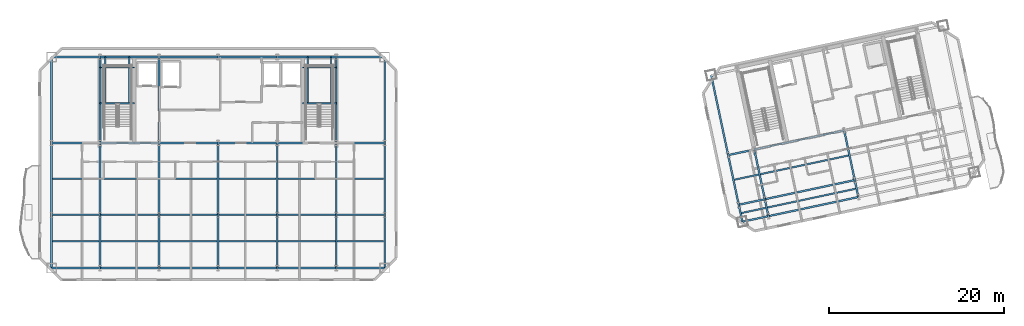
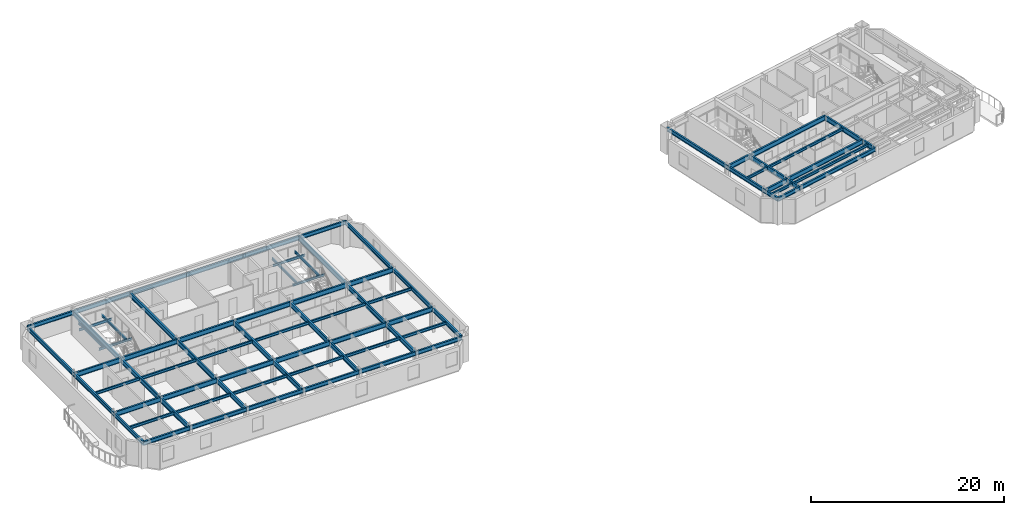
# One storey, part 3 of 14: 80 beams.
"""IFC4 building model written with IfcOpenShell, lengths in metres."""

from ifc_helpers import new_model, si_unit, direction, frame, origin, origin_2d, place, context, subcontext, project, spatial, i_section, extrude, material, material_profile, profile_set, type_object, element, save


model = new_model("IFC4")

# Units and contexts
model_context = context("Model", 3, precision=1e-05, world=origin(), true_north=direction((0.0, 1.0)))
body_context = subcontext(model_context, "Body", "Model", "MODEL_VIEW")
ifc_project = project(units=[si_unit("LENGTHUNIT", "METRE"), si_unit("AREAUNIT", "SQUARE_METRE"), si_unit("VOLUMEUNIT", "CUBIC_METRE"), si_unit("PLANEANGLEUNIT", "RADIAN"), si_unit("MASSUNIT", "GRAM", prefix="KILO")], contexts=[model_context])

# Site, building, storey
site_placement = place(None, origin())
site = spatial("IfcSite", under=ifc_project, at=site_placement, CompositionType="ELEMENT")
building_placement = place(site_placement, origin())
building = spatial("IfcBuilding", under=site, at=building_placement, Name="Haevon Station Towers", CompositionType="ELEMENT")
storey_placement = place(building_placement, frame((0.0, 0.0, 205.5)))
storey = spatial("IfcBuildingStorey", under=building, at=storey_placement, Name="L56", CompositionType="ELEMENT", Elevation=205.5)

# Beams
ifc_material = material(Name="Steel S355", Category="steel")
ifc_material_profile_1 = material_profile(ifc_material, i_section(OverallWidth=0.199951171875, OverallDepth=0.60009765625, WebThickness=0.010986328125, FlangeThickness=0.01708984375, at=origin_2d()), Name="H-600x200x11x17")
ifc_profile_set_1 = profile_set([ifc_material_profile_1], Name="Steel S355")
beam_type_1 = type_object("IfcBeamType", Name="BM-G600", PredefinedType="BEAM", material=ifc_profile_set_1)
beam_1_placement = place(storey_placement, frame((18.47509765625, 30.0, 2.75), z_axis=(1.0, 0.0, 0.0), x_axis=(0.0, 1.0, 0.0)))
element("IfcBeam", 1, at=beam_1_placement, inside=storey, type_object=beam_type_1, Name="BM-T1U-L56-02-01", PredefinedType="BEAM", context=body_context, shape_type="SweptSolid", body=[
    extrude(i_section(OverallWidth=0.199951171875, OverallDepth=0.60009765625, WebThickness=0.010986328125, FlangeThickness=0.01708984375, at=origin_2d()), origin(), (0.0, 0.0, 1.0), 5.52490234375),
])
for number, where, z_axis, x_axis, name in (
    (2, (24.0, 30.0, 2.75), (1.0, 0.0, 0.0), (0.0, 1.0, 0.0), "BM-T1U-L56-02-02"),
    (3, (30.75, 30.0, 2.75), (1.0, 0.0, 0.0), (0.0, 1.0, 0.0), "BM-T1U-L56-02-03"),
    (4, (37.5, 30.0, 2.75), (1.0, 0.0, 0.0), (0.0, 1.0, 0.0), "BM-T1U-L56-02-04"),
    (5, (44.25, 30.0, 2.75), (1.0, 0.0, 0.0), (0.0, 1.0, 0.0), "BM-T1U-L56-02-05"),
):
    element("IfcBeam", number, at=place(storey_placement, frame(where, z_axis=z_axis, x_axis=x_axis)), inside=storey, type_object=beam_type_1, Name=name, PredefinedType="BEAM", context=body_context, shape_type="SweptSolid", body=[
        extrude(i_section(OverallWidth=0.199951171875, OverallDepth=0.60009765625, WebThickness=0.010986328125, FlangeThickness=0.01708984375, at=origin_2d()), origin(), (0.0, 0.0, 1.0), 6.75),
    ])
for number, where, z_axis, x_axis, name in (
    (6, (51.0, 30.0, 2.75), (1.0, 0.0, 0.0), (0.0, 1.0, 0.0), "BM-T1U-L56-02-06"),
    (7, (18.47509765625, 38.199951171875, 2.75), (1.0, 0.0, 0.0), (0.0, 1.0, 0.0), "BM-T1U-L56-03-01"),
):
    element("IfcBeam", number, at=place(storey_placement, frame(where, z_axis=z_axis, x_axis=x_axis)), inside=storey, type_object=beam_type_1, Name=name, PredefinedType="BEAM", context=body_context, shape_type="SweptSolid", body=[
        extrude(i_section(OverallWidth=0.199951171875, OverallDepth=0.60009765625, WebThickness=0.010986328125, FlangeThickness=0.01708984375, at=origin_2d()), origin(), (0.0, 0.0, 1.0), 5.52490234375),
    ])
for number, where, z_axis, x_axis, name in (
    (8, (24.0, 38.199951171875, 2.75), (1.0, 0.0, 0.0), (0.0, 1.0, 0.0), "BM-T1U-L56-03-02"),
    (9, (30.75, 38.199951171875, 2.75), (1.0, 0.0, 0.0), (0.0, 1.0, 0.0), "BM-T1U-L56-03-03"),
    (10, (37.5, 38.199951171875, 2.75), (1.0, 0.0, 0.0), (0.0, 1.0, 0.0), "BM-T1U-L56-03-04"),
    (11, (44.25, 38.199951171875, 2.75), (1.0, 0.0, 0.0), (0.0, 1.0, 0.0), "BM-T1U-L56-03-05"),
):
    element("IfcBeam", number, at=place(storey_placement, frame(where, z_axis=z_axis, x_axis=x_axis)), inside=storey, type_object=beam_type_1, Name=name, PredefinedType="BEAM", context=body_context, shape_type="SweptSolid", body=[
        extrude(i_section(OverallWidth=0.199951171875, OverallDepth=0.60009765625, WebThickness=0.010986328125, FlangeThickness=0.01708984375, at=origin_2d()), origin(), (0.0, 0.0, 1.0), 6.75),
    ])
beam_2_placement = place(storey_placement, frame((51.0, 38.199951171875, 2.75), z_axis=(1.0, 0.0, 0.0), x_axis=(0.0, 1.0, 0.0)))
element("IfcBeam", 12, at=beam_2_placement, inside=storey, type_object=beam_type_1, Name="BM-T1U-L56-03-06", PredefinedType="BEAM", context=body_context, shape_type="SweptSolid", body=[
    extrude(i_section(OverallWidth=0.199951171875, OverallDepth=0.60009765625, WebThickness=0.010986328125, FlangeThickness=0.01708984375, at=origin_2d()), origin(), (0.0, 0.0, 1.0), 5.52490234375),
])
beam_3_placement = place(storey_placement, frame((24.0, 23.89990234375, 2.75), z_axis=(0.0, 1.0, 0.0), x_axis=(-1.0, 0.0, 0.0)))
element("IfcBeam", 13, at=beam_3_placement, inside=storey, type_object=beam_type_1, Name="BM-T1V-L56-02-01", PredefinedType="BEAM", context=body_context, shape_type="SweptSolid", body=[
    extrude(i_section(OverallWidth=0.199951171875, OverallDepth=0.60009765625, WebThickness=0.010986328125, FlangeThickness=0.01708984375, at=origin_2d()), origin(), (0.0, 0.0, 1.0), 6.10009765625),
])
beam_4_placement = place(storey_placement, frame((24.0, 30.0, 2.75), z_axis=(0.0, 1.0, 0.0), x_axis=(-1.0, 0.0, 0.0)))
element("IfcBeam", 14, at=beam_4_placement, inside=storey, type_object=beam_type_1, Name="BM-T1V-L56-02-02", PredefinedType="BEAM", context=body_context, shape_type="SweptSolid", body=[
    extrude(i_section(OverallWidth=0.199951171875, OverallDepth=0.60009765625, WebThickness=0.010986328125, FlangeThickness=0.01708984375, at=origin_2d()), origin(), (0.0, 0.0, 1.0), 8.199951171875),
])
beam_5_placement = place(storey_placement, frame((24.0, 38.199951171875, 2.75), z_axis=(0.0, 1.0, 0.0), x_axis=(-1.0, 0.0, 0.0)))
element("IfcBeam", 15, at=beam_5_placement, inside=storey, type_object=beam_type_1, Name="BM-T1V-L56-02-03", PredefinedType="BEAM", context=body_context, shape_type="SweptSolid", body=[
    extrude(i_section(OverallWidth=0.199951171875, OverallDepth=0.60009765625, WebThickness=0.010986328125, FlangeThickness=0.01708984375, at=origin_2d()), origin(), (0.0, 0.0, 1.0), 9.800048828125),
])
beam_6_placement = place(storey_placement, frame((30.75, 23.89990234375, 2.75), z_axis=(0.0, 1.0, 0.0), x_axis=(-1.0, 0.0, 0.0)))
element("IfcBeam", 16, at=beam_6_placement, inside=storey, type_object=beam_type_1, Name="BM-T1V-L56-03-01", PredefinedType="BEAM", context=body_context, shape_type="SweptSolid", body=[
    extrude(i_section(OverallWidth=0.199951171875, OverallDepth=0.60009765625, WebThickness=0.010986328125, FlangeThickness=0.01708984375, at=origin_2d()), origin(), (0.0, 0.0, 1.0), 6.10009765625),
])
beam_7_placement = place(storey_placement, frame((30.75, 30.0, 2.75), z_axis=(0.0, 1.0, 0.0), x_axis=(-1.0, 0.0, 0.0)))
element("IfcBeam", 17, at=beam_7_placement, inside=storey, type_object=beam_type_1, Name="BM-T1V-L56-03-02", PredefinedType="BEAM", context=body_context, shape_type="SweptSolid", body=[
    extrude(i_section(OverallWidth=0.199951171875, OverallDepth=0.60009765625, WebThickness=0.010986328125, FlangeThickness=0.01708984375, at=origin_2d()), origin(), (0.0, 0.0, 1.0), 8.199951171875),
])
beam_8_placement = place(storey_placement, frame((30.75, 38.199951171875, 2.75), z_axis=(0.0, 1.0, 0.0), x_axis=(-1.0, 0.0, 0.0)))
element("IfcBeam", 18, at=beam_8_placement, inside=storey, type_object=beam_type_1, Name="BM-T1V-L56-03-03", PredefinedType="BEAM", context=body_context, shape_type="SweptSolid", body=[
    extrude(i_section(OverallWidth=0.199951171875, OverallDepth=0.60009765625, WebThickness=0.010986328125, FlangeThickness=0.01708984375, at=origin_2d()), origin(), (0.0, 0.0, 1.0), 9.800048828125),
])
beam_9_placement = place(storey_placement, frame((37.5, 23.89990234375, 2.75), z_axis=(0.0, 1.0, 0.0), x_axis=(-1.0, 0.0, 0.0)))
element("IfcBeam", 19, at=beam_9_placement, inside=storey, type_object=beam_type_1, Name="BM-T1V-L56-04-01", PredefinedType="BEAM", context=body_context, shape_type="SweptSolid", body=[
    extrude(i_section(OverallWidth=0.199951171875, OverallDepth=0.60009765625, WebThickness=0.010986328125, FlangeThickness=0.01708984375, at=origin_2d()), origin(), (0.0, 0.0, 1.0), 6.10009765625),
])
beam_10_placement = place(storey_placement, frame((37.5, 30.0, 2.75), z_axis=(0.0, 1.0, 0.0), x_axis=(-1.0, 0.0, 0.0)))
element("IfcBeam", 20, at=beam_10_placement, inside=storey, type_object=beam_type_1, Name="BM-T1V-L56-04-02", PredefinedType="BEAM", context=body_context, shape_type="SweptSolid", body=[
    extrude(i_section(OverallWidth=0.199951171875, OverallDepth=0.60009765625, WebThickness=0.010986328125, FlangeThickness=0.01708984375, at=origin_2d()), origin(), (0.0, 0.0, 1.0), 8.199951171875),
])
beam_11_placement = place(storey_placement, frame((44.25, 23.89990234375, 2.75), z_axis=(0.0, 1.0, 0.0), x_axis=(-1.0, 0.0, 0.0)))
element("IfcBeam", 21, at=beam_11_placement, inside=storey, type_object=beam_type_1, Name="BM-T1V-L56-05-01", PredefinedType="BEAM", context=body_context, shape_type="SweptSolid", body=[
    extrude(i_section(OverallWidth=0.199951171875, OverallDepth=0.60009765625, WebThickness=0.010986328125, FlangeThickness=0.01708984375, at=origin_2d()), origin(), (0.0, 0.0, 1.0), 6.10009765625),
])
beam_12_placement = place(storey_placement, frame((44.25, 30.0, 2.75), z_axis=(0.0, 1.0, 0.0), x_axis=(-1.0, 0.0, 0.0)))
element("IfcBeam", 22, at=beam_12_placement, inside=storey, type_object=beam_type_1, Name="BM-T1V-L56-05-02", PredefinedType="BEAM", context=body_context, shape_type="SweptSolid", body=[
    extrude(i_section(OverallWidth=0.199951171875, OverallDepth=0.60009765625, WebThickness=0.010986328125, FlangeThickness=0.01708984375, at=origin_2d()), origin(), (0.0, 0.0, 1.0), 8.199951171875),
])
beam_13_placement = place(storey_placement, frame((51.0, 23.89990234375, 2.75), z_axis=(0.0, 1.0, 0.0), x_axis=(-1.0, 0.0, 0.0)))
element("IfcBeam", 23, at=beam_13_placement, inside=storey, type_object=beam_type_1, Name="BM-T1V-L56-06-01", PredefinedType="BEAM", context=body_context, shape_type="SweptSolid", body=[
    extrude(i_section(OverallWidth=0.199951171875, OverallDepth=0.60009765625, WebThickness=0.010986328125, FlangeThickness=0.01708984375, at=origin_2d()), origin(), (0.0, 0.0, 1.0), 6.10009765625),
])
beam_14_placement = place(storey_placement, frame((51.0, 30.0, 2.75), z_axis=(0.0, 1.0, 0.0), x_axis=(-1.0, 0.0, 0.0)))
element("IfcBeam", 24, at=beam_14_placement, inside=storey, type_object=beam_type_1, Name="BM-T1V-L56-06-02", PredefinedType="BEAM", context=body_context, shape_type="SweptSolid", body=[
    extrude(i_section(OverallWidth=0.199951171875, OverallDepth=0.60009765625, WebThickness=0.010986328125, FlangeThickness=0.01708984375, at=origin_2d()), origin(), (0.0, 0.0, 1.0), 8.199951171875),
])
beam_15_placement = place(storey_placement, frame((51.0, 38.199951171875, 2.75), z_axis=(0.0, 1.0, 0.0), x_axis=(-1.0, 0.0, 0.0)))
element("IfcBeam", 25, at=beam_15_placement, inside=storey, type_object=beam_type_1, Name="BM-T1V-L56-06-03", PredefinedType="BEAM", context=body_context, shape_type="SweptSolid", body=[
    extrude(i_section(OverallWidth=0.199951171875, OverallDepth=0.60009765625, WebThickness=0.010986328125, FlangeThickness=0.01708984375, at=origin_2d()), origin(), (0.0, 0.0, 1.0), 9.800048828125),
])
beam_16_placement = place(storey_placement, frame((96.974853515625, 31.135009765625, 2.75), z_axis=(0.978154782045, 0.207877902534, 0.0), x_axis=(-0.207877902534, 0.978154782045, 0.0)))
element("IfcBeam", 26, at=beam_16_placement, inside=storey, type_object=beam_type_1, Name="BM-T2U-L56-02-01", PredefinedType="BEAM", context=body_context, shape_type="SweptSolid", body=[
    extrude(i_section(OverallWidth=0.199951171875, OverallDepth=0.60009765625, WebThickness=0.010986328125, FlangeThickness=0.01708984375, at=origin_2d()), origin(), (0.0, 0.0, 1.0), 3.050048828125),
])
beam_17_placement = place(storey_placement, frame((99.958251953125, 31.76904296875, 2.75), z_axis=(0.978146794194, 0.207915485254, 0.0), x_axis=(-0.207915485254, 0.978146794194, 0.0)))
element("IfcBeam", 27, at=beam_17_placement, inside=storey, type_object=beam_type_1, Name="BM-T2U-L56-02-02", PredefinedType="BEAM", context=body_context, shape_type="SweptSolid", body=[
    extrude(i_section(OverallWidth=0.199951171875, OverallDepth=0.60009765625, WebThickness=0.010986328125, FlangeThickness=0.01708984375, at=origin_2d()), origin(), (0.0, 0.0, 1.0), 10.5),
])
beam_18_placement = place(storey_placement, frame((95.76904296875, 36.808349609375, 2.75), z_axis=(0.978154782045, 0.207877902534, 0.0), x_axis=(-0.207877902534, 0.978154782045, 0.0)))
element("IfcBeam", 28, at=beam_18_placement, inside=storey, type_object=beam_type_1, Name="BM-T2U-L56-03-01", PredefinedType="BEAM", context=body_context, shape_type="SweptSolid", body=[
    extrude(i_section(OverallWidth=0.199951171875, OverallDepth=0.60009765625, WebThickness=0.010986328125, FlangeThickness=0.01708984375, at=origin_2d()), origin(), (0.0, 0.0, 1.0), 3.050048828125),
])
beam_19_placement = place(storey_placement, frame((98.75244140625, 37.4423828125, 2.75), z_axis=(0.978146794194, 0.207915485254, 0.0), x_axis=(-0.207915485254, 0.978146794194, 0.0)))
element("IfcBeam", 29, at=beam_19_placement, inside=storey, type_object=beam_type_1, Name="BM-T2U-L56-03-02", PredefinedType="BEAM", context=body_context, shape_type="SweptSolid", body=[
    extrude(i_section(OverallWidth=0.199951171875, OverallDepth=0.60009765625, WebThickness=0.010986328125, FlangeThickness=0.01708984375, at=origin_2d()), origin(), (0.0, 0.0, 1.0), 10.5),
])
beam_20_placement = place(storey_placement, frame((100.369873046875, 29.83251953125, 2.75), z_axis=(-0.207911850433, 0.978147566806, 0.0), x_axis=(-0.978147566806, -0.207911850433, 0.0)))
element("IfcBeam", 30, at=beam_20_placement, inside=storey, type_object=beam_type_1, Name="BM-T2V-L56-02-01", PredefinedType="BEAM", context=body_context, shape_type="SweptSolid", body=[
    extrude(i_section(OverallWidth=0.199951171875, OverallDepth=0.60009765625, WebThickness=0.010986328125, FlangeThickness=0.01708984375, at=origin_2d()), origin(), (0.0, 0.0, 1.0), 1.979736328125),
])
beam_21_placement = place(storey_placement, frame((99.958251953125, 31.76904296875, 2.75), z_axis=(-0.207896009217, 0.97815093383, 0.0), x_axis=(-0.97815093383, -0.207896009217, 0.0)))
element("IfcBeam", 31, at=beam_21_placement, inside=storey, type_object=beam_type_1, Name="BM-T2V-L56-02-02", PredefinedType="BEAM", context=body_context, shape_type="SweptSolid", body=[
    extrude(i_section(OverallWidth=0.199951171875, OverallDepth=0.60009765625, WebThickness=0.010986328125, FlangeThickness=0.01708984375, at=origin_2d()), origin(), (0.0, 0.0, 1.0), 5.800048828125),
])
beam_22_placement = place(storey_placement, frame((110.640380859375, 32.015380859375, 2.75), z_axis=(-0.207886774674, 0.978152896492, 0.0), x_axis=(-0.978152896492, -0.207886774674, 0.0)))
element("IfcBeam", 32, at=beam_22_placement, inside=storey, type_object=beam_type_1, Name="BM-T2V-L56-03-01", PredefinedType="BEAM", context=body_context, shape_type="SweptSolid", body=[
    extrude(i_section(OverallWidth=0.199951171875, OverallDepth=0.60009765625, WebThickness=0.010986328125, FlangeThickness=0.01708984375, at=origin_2d()), origin(), (0.0, 0.0, 1.0), 1.97998046875),
])
beam_23_placement = place(storey_placement, frame((110.228759765625, 33.9521484375, 2.75), z_axis=(-0.207896009217, 0.97815093383, 0.0), x_axis=(-0.97815093383, -0.207896009217, 0.0)))
element("IfcBeam", 33, at=beam_23_placement, inside=storey, type_object=beam_type_1, Name="BM-T2V-L56-03-02", PredefinedType="BEAM", context=body_context, shape_type="SweptSolid", body=[
    extrude(i_section(OverallWidth=0.199951171875, OverallDepth=0.60009765625, WebThickness=0.010986328125, FlangeThickness=0.01708984375, at=origin_2d()), origin(), (0.0, 0.0, 1.0), 5.800048828125),
])
ifc_material_profile_2 = material_profile(ifc_material, i_section(OverallWidth=0.175048828125, OverallDepth=0.35009765625, WebThickness=0.007080078125, FlangeThickness=0.010986328125, at=origin_2d()), Name="H-350x175x7x11")
ifc_profile_set_2 = profile_set([ifc_material_profile_2], Name="Steel S355")
beam_type_2 = type_object("IfcBeamType", Name="BM-J350", PredefinedType="JOIST", material=ifc_profile_set_2)
beam_24_placement = place(storey_placement, frame((18.5849609375, 26.949951171875, 2.875), z_axis=(1.0, 0.0, 0.0), x_axis=(0.0, 1.0, 0.0)))
element("IfcBeam", 34, at=beam_24_placement, inside=storey, type_object=beam_type_2, Name="BM-T1J-L56-01-01", PredefinedType="JOIST", context=body_context, shape_type="SweptSolid", body=[
    extrude(i_section(OverallWidth=0.175048828125, OverallDepth=0.35009765625, WebThickness=0.007080078125, FlangeThickness=0.010986328125, at=origin_2d()), origin(), (0.0, 0.0, 1.0), 5.304931640625),
])
for number, where, z_axis, x_axis, name in (
    (35, (24.110107421875, 26.949951171875, 2.875), (1.0, 0.0, 0.0), (0.0, 1.0, 0.0), "BM-T1J-L56-01-02"),
    (36, (30.860107421875, 26.949951171875, 2.875), (1.0, 0.0, 0.0), (0.0, 1.0, 0.0), "BM-T1J-L56-01-03"),
    (37, (37.610107421875, 26.949951171875, 2.875), (1.0, 0.0, 0.0), (0.0, 1.0, 0.0), "BM-T1J-L56-01-04"),
    (38, (44.360107421875, 26.949951171875, 2.875), (1.0, 0.0, 0.0), (0.0, 1.0, 0.0), "BM-T1J-L56-01-05"),
):
    element("IfcBeam", number, at=place(storey_placement, frame(where, z_axis=z_axis, x_axis=x_axis)), inside=storey, type_object=beam_type_2, Name=name, PredefinedType="JOIST", context=body_context, shape_type="SweptSolid", body=[
        extrude(i_section(OverallWidth=0.175048828125, OverallDepth=0.35009765625, WebThickness=0.007080078125, FlangeThickness=0.010986328125, at=origin_2d()), origin(), (0.0, 0.0, 1.0), 6.52978515625),
    ])
for number, where, z_axis, x_axis, name in (
    (39, (51.110107421875, 26.949951171875, 2.875), (1.0, 0.0, 0.0), (0.0, 1.0, 0.0), "BM-T1J-L56-01-06"),
    (40, (18.5849609375, 34.10009765625, 2.875), (1.0, 0.0, 0.0), (0.0, 1.0, 0.0), "BM-T1J-L56-02-01"),
):
    element("IfcBeam", number, at=place(storey_placement, frame(where, z_axis=z_axis, x_axis=x_axis)), inside=storey, type_object=beam_type_2, Name=name, PredefinedType="JOIST", context=body_context, shape_type="SweptSolid", body=[
        extrude(i_section(OverallWidth=0.175048828125, OverallDepth=0.35009765625, WebThickness=0.007080078125, FlangeThickness=0.010986328125, at=origin_2d()), origin(), (0.0, 0.0, 1.0), 5.304931640625),
    ])
for number, where, z_axis, x_axis, name in (
    (41, (24.110107421875, 34.10009765625, 2.875), (1.0, 0.0, 0.0), (0.0, 1.0, 0.0), "BM-T1J-L56-02-02"),
    (42, (30.860107421875, 34.10009765625, 2.875), (1.0, 0.0, 0.0), (0.0, 1.0, 0.0), "BM-T1J-L56-02-03"),
    (43, (37.610107421875, 34.10009765625, 2.875), (1.0, 0.0, 0.0), (0.0, 1.0, 0.0), "BM-T1J-L56-02-04"),
    (44, (44.360107421875, 34.10009765625, 2.875), (1.0, 0.0, 0.0), (0.0, 1.0, 0.0), "BM-T1J-L56-02-05"),
):
    element("IfcBeam", number, at=place(storey_placement, frame(where, z_axis=z_axis, x_axis=x_axis)), inside=storey, type_object=beam_type_2, Name=name, PredefinedType="JOIST", context=body_context, shape_type="SweptSolid", body=[
        extrude(i_section(OverallWidth=0.175048828125, OverallDepth=0.35009765625, WebThickness=0.007080078125, FlangeThickness=0.010986328125, at=origin_2d()), origin(), (0.0, 0.0, 1.0), 6.52978515625),
    ])
beam_25_placement = place(storey_placement, frame((51.110107421875, 34.10009765625, 2.875), z_axis=(1.0, 0.0, 0.0), x_axis=(0.0, 1.0, 0.0)))
element("IfcBeam", 45, at=beam_25_placement, inside=storey, type_object=beam_type_2, Name="BM-T1J-L56-02-06", PredefinedType="JOIST", context=body_context, shape_type="SweptSolid", body=[
    extrude(i_section(OverallWidth=0.175048828125, OverallDepth=0.35009765625, WebThickness=0.007080078125, FlangeThickness=0.010986328125, at=origin_2d()), origin(), (0.0, 0.0, 1.0), 5.304931640625),
])
beam_26_placement = place(storey_placement, frame((97.288330078125, 30.189453125, 2.875), z_axis=(0.9781470094, 0.207914472804, 0.0), x_axis=(-0.207914472804, 0.9781470094, 0.0)))
element("IfcBeam", 46, at=beam_26_placement, inside=storey, type_object=beam_type_2, Name="BM-T2J-L56-01-01", PredefinedType="JOIST", context=body_context, shape_type="SweptSolid", body=[
    extrude(i_section(OverallWidth=0.175048828125, OverallDepth=0.35009765625, WebThickness=0.007080078125, FlangeThickness=0.010986328125, at=origin_2d()), origin(), (0.0, 0.0, 1.0), 2.829833984375),
])
beam_27_placement = place(storey_placement, frame((100.271728515625, 30.82373046875, 2.875), z_axis=(0.978149313139, 0.20790363442, 0.0), x_axis=(-0.20790363442, 0.978149313139, 0.0)))
element("IfcBeam", 47, at=beam_27_placement, inside=storey, type_object=beam_type_2, Name="BM-T2J-L56-01-02", PredefinedType="JOIST", context=body_context, shape_type="SweptSolid", body=[
    extrude(i_section(OverallWidth=0.175048828125, OverallDepth=0.35009765625, WebThickness=0.007080078125, FlangeThickness=0.010986328125, at=origin_2d()), origin(), (0.0, 0.0, 1.0), 10.27978515625),
])
beam_28_placement = place(storey_placement, frame((96.4794921875, 33.99462890625, 2.875), z_axis=(0.978150738312, 0.207896929124, 0.0), x_axis=(-0.207896929124, 0.978150738312, 0.0)))
element("IfcBeam", 48, at=beam_28_placement, inside=storey, type_object=beam_type_2, Name="BM-T2J-L56-02-01", PredefinedType="JOIST", context=body_context, shape_type="SweptSolid", body=[
    extrude(i_section(OverallWidth=0.175048828125, OverallDepth=0.35009765625, WebThickness=0.007080078125, FlangeThickness=0.010986328125, at=origin_2d()), origin(), (0.0, 0.0, 1.0), 2.830078125),
])
beam_29_placement = place(storey_placement, frame((99.462890625, 34.628662109375, 2.875), z_axis=(0.978150339653, 0.207898804801, 0.0), x_axis=(-0.207898804801, 0.978150339653, 0.0)))
element("IfcBeam", 49, at=beam_29_placement, inside=storey, type_object=beam_type_2, Name="BM-T2J-L56-02-02", PredefinedType="JOIST", context=body_context, shape_type="SweptSolid", body=[
    extrude(i_section(OverallWidth=0.175048828125, OverallDepth=0.35009765625, WebThickness=0.007080078125, FlangeThickness=0.010986328125, at=origin_2d()), origin(), (0.0, 0.0, 1.0), 10.280029296875),
])
ifc_material_profile_3 = material_profile(ifc_material, i_section(OverallWidth=0.14990234375, OverallDepth=0.300048828125, WebThickness=0.006591796875, FlangeThickness=0.009033203125, at=origin_2d()), Name="H-300x150x6.5x9")
ifc_profile_set_3 = profile_set([ifc_material_profile_3], Name="Steel S355")
beam_type_3 = type_object("IfcBeamType", Name="BM-LIN300", PredefinedType="LINTEL", material=ifc_profile_set_3)
for number, where, z_axis, x_axis, name in (
    (50, (24.0, 42.743896484375, 1.300048828125), (1.0, 0.0, 0.0), (0.0, 1.0, 0.0), "BM-ST1L-L56-1-S"),
    (51, (24.0, 46.820068359375, 1.300048828125), (1.0, 0.0, 0.0), (0.0, 1.0, 0.0), "BM-ST1L-L56-1-N"),
):
    element("IfcBeam", number, at=place(storey_placement, frame(where, z_axis=z_axis, x_axis=x_axis)), inside=storey, type_object=beam_type_3, Name=name, PredefinedType="LINTEL", context=body_context, shape_type="SweptSolid", body=[
        extrude(i_section(OverallWidth=0.14990234375, OverallDepth=0.300048828125, WebThickness=0.006591796875, FlangeThickness=0.009033203125, at=origin_2d()), origin(), (0.0, 0.0, 1.0), 3.949951171875),
    ])
for number, where, z_axis, x_axis, name in (
    (52, (24.60009765625, 42.743896484375, 1.300048828125), (0.0, 1.0, 0.0), (-1.0, 0.0, 0.0), "BM-ST1L-L56-1-W"),
    (53, (27.35009765625, 42.743896484375, 1.300048828125), (0.0, 1.0, 0.0), (-1.0, 0.0, 0.0), "BM-ST1L-L56-1-E"),
):
    element("IfcBeam", number, at=place(storey_placement, frame(where, z_axis=z_axis, x_axis=x_axis)), inside=storey, type_object=beam_type_3, Name=name, PredefinedType="LINTEL", context=body_context, shape_type="SweptSolid", body=[
        extrude(i_section(OverallWidth=0.14990234375, OverallDepth=0.300048828125, WebThickness=0.006591796875, FlangeThickness=0.009033203125, at=origin_2d()), origin(), (0.0, 0.0, 1.0), 5.256103515625),
    ])
for number, where, z_axis, x_axis, name in (
    (54, (47.14990234375, 42.743896484375, 1.300048828125), (1.0, 0.0, 0.0), (0.0, 1.0, 0.0), "BM-ST2L-L56-1-S"),
    (55, (47.14990234375, 46.820068359375, 1.300048828125), (1.0, 0.0, 0.0), (0.0, 1.0, 0.0), "BM-ST2L-L56-1-N"),
):
    element("IfcBeam", number, at=place(storey_placement, frame(where, z_axis=z_axis, x_axis=x_axis)), inside=storey, type_object=beam_type_3, Name=name, PredefinedType="LINTEL", context=body_context, shape_type="SweptSolid", body=[
        extrude(i_section(OverallWidth=0.14990234375, OverallDepth=0.300048828125, WebThickness=0.006591796875, FlangeThickness=0.009033203125, at=origin_2d()), origin(), (0.0, 0.0, 1.0), 3.85009765625),
    ])
for number, where, z_axis, x_axis, name in (
    (56, (47.75, 42.743896484375, 1.300048828125), (0.0, 1.0, 0.0), (-1.0, 0.0, 0.0), "BM-ST2L-L56-1-W"),
    (57, (50.39990234375, 42.743896484375, 1.300048828125), (0.0, 1.0, 0.0), (-1.0, 0.0, 0.0), "BM-ST2L-L56-1-E"),
):
    element("IfcBeam", number, at=place(storey_placement, frame(where, z_axis=z_axis, x_axis=x_axis)), inside=storey, type_object=beam_type_3, Name=name, PredefinedType="LINTEL", context=body_context, shape_type="SweptSolid", body=[
        extrude(i_section(OverallWidth=0.14990234375, OverallDepth=0.300048828125, WebThickness=0.006591796875, FlangeThickness=0.009033203125, at=origin_2d()), origin(), (0.0, 0.0, 1.0), 5.256103515625),
    ])
ifc_material_profile_4 = material_profile(ifc_material, i_section(OverallWidth=0.199951171875, OverallDepth=0.5, WebThickness=0.010009765625, FlangeThickness=0.01611328125, at=origin_2d()), Name="H-500x200x10x16")
ifc_profile_set_4 = profile_set([ifc_material_profile_4], Name="Steel S355")
beam_type_4 = type_object("IfcBeamType", Name="BM-SP500", PredefinedType="SPANDREL", material=ifc_profile_set_4)
beam_30_placement = place(storey_placement, frame((18.47509765625, 23.89990234375, 2.800048828125), z_axis=(1.0, 0.0, 0.0), x_axis=(0.0, 1.0, 0.0)))
element("IfcBeam", 58, at=beam_30_placement, inside=storey, type_object=beam_type_4, Name="BM-T1U-L56-01-01", PredefinedType="SPANDREL", context=body_context, shape_type="SweptSolid", body=[
    extrude(i_section(OverallWidth=0.199951171875, OverallDepth=0.5, WebThickness=0.010009765625, FlangeThickness=0.01611328125, at=origin_2d()), origin(), (0.0, 0.0, 1.0), 5.52490234375),
])
for number, where, z_axis, x_axis, name in (
    (59, (24.0, 23.89990234375, 2.800048828125), (1.0, 0.0, 0.0), (0.0, 1.0, 0.0), "BM-T1U-L56-01-02"),
    (60, (30.75, 23.89990234375, 2.800048828125), (1.0, 0.0, 0.0), (0.0, 1.0, 0.0), "BM-T1U-L56-01-03"),
    (61, (37.5, 23.89990234375, 2.800048828125), (1.0, 0.0, 0.0), (0.0, 1.0, 0.0), "BM-T1U-L56-01-04"),
    (62, (44.25, 23.89990234375, 2.800048828125), (1.0, 0.0, 0.0), (0.0, 1.0, 0.0), "BM-T1U-L56-01-05"),
):
    element("IfcBeam", number, at=place(storey_placement, frame(where, z_axis=z_axis, x_axis=x_axis)), inside=storey, type_object=beam_type_4, Name=name, PredefinedType="SPANDREL", context=body_context, shape_type="SweptSolid", body=[
        extrude(i_section(OverallWidth=0.199951171875, OverallDepth=0.5, WebThickness=0.010009765625, FlangeThickness=0.01611328125, at=origin_2d()), origin(), (0.0, 0.0, 1.0), 6.75),
    ])
for number, where, z_axis, x_axis, name in (
    (63, (51.0, 23.89990234375, 2.800048828125), (1.0, 0.0, 0.0), (0.0, 1.0, 0.0), "BM-T1U-L56-01-06"),
    (64, (18.47509765625, 48.0, 2.800048828125), (1.0, 0.0, 0.0), (0.0, 1.0, 0.0), "BM-T1U-L56-04-01"),
):
    element("IfcBeam", number, at=place(storey_placement, frame(where, z_axis=z_axis, x_axis=x_axis)), inside=storey, type_object=beam_type_4, Name=name, PredefinedType="SPANDREL", context=body_context, shape_type="SweptSolid", body=[
        extrude(i_section(OverallWidth=0.199951171875, OverallDepth=0.5, WebThickness=0.010009765625, FlangeThickness=0.01611328125, at=origin_2d()), origin(), (0.0, 0.0, 1.0), 5.52490234375),
    ])
for number, where, z_axis, x_axis, name in (
    (65, (24.0, 48.0, 2.800048828125), (1.0, 0.0, 0.0), (0.0, 1.0, 0.0), "BM-T1U-L56-04-02"),
    (66, (30.75, 48.0, 2.800048828125), (1.0, 0.0, 0.0), (0.0, 1.0, 0.0), "BM-T1U-L56-04-03"),
    (67, (37.5, 48.0, 2.800048828125), (1.0, 0.0, 0.0), (0.0, 1.0, 0.0), "BM-T1U-L56-04-04"),
    (68, (44.25, 48.0, 2.800048828125), (1.0, 0.0, 0.0), (0.0, 1.0, 0.0), "BM-T1U-L56-04-05"),
):
    element("IfcBeam", number, at=place(storey_placement, frame(where, z_axis=z_axis, x_axis=x_axis)), inside=storey, type_object=beam_type_4, Name=name, PredefinedType="SPANDREL", context=body_context, shape_type="SweptSolid", body=[
        extrude(i_section(OverallWidth=0.199951171875, OverallDepth=0.5, WebThickness=0.010009765625, FlangeThickness=0.01611328125, at=origin_2d()), origin(), (0.0, 0.0, 1.0), 6.75),
    ])
beam_31_placement = place(storey_placement, frame((51.0, 48.0, 2.800048828125), z_axis=(1.0, 0.0, 0.0), x_axis=(0.0, 1.0, 0.0)))
element("IfcBeam", 69, at=beam_31_placement, inside=storey, type_object=beam_type_4, Name="BM-T1U-L56-04-06", PredefinedType="SPANDREL", context=body_context, shape_type="SweptSolid", body=[
    extrude(i_section(OverallWidth=0.199951171875, OverallDepth=0.5, WebThickness=0.010009765625, FlangeThickness=0.01611328125, at=origin_2d()), origin(), (0.0, 0.0, 1.0), 5.52490234375),
])
beam_32_placement = place(storey_placement, frame((18.47509765625, 23.89990234375, 2.800048828125), z_axis=(0.0, 1.0, 0.0), x_axis=(-1.0, 0.0, 0.0)))
element("IfcBeam", 70, at=beam_32_placement, inside=storey, type_object=beam_type_4, Name="BM-T1V-L56-01-01", PredefinedType="SPANDREL", context=body_context, shape_type="SweptSolid", body=[
    extrude(i_section(OverallWidth=0.199951171875, OverallDepth=0.5, WebThickness=0.010009765625, FlangeThickness=0.01611328125, at=origin_2d()), origin(), (0.0, 0.0, 1.0), 6.10009765625),
])
beam_33_placement = place(storey_placement, frame((18.47509765625, 30.0, 2.800048828125), z_axis=(0.0, 1.0, 0.0), x_axis=(-1.0, 0.0, 0.0)))
element("IfcBeam", 71, at=beam_33_placement, inside=storey, type_object=beam_type_4, Name="BM-T1V-L56-01-02", PredefinedType="SPANDREL", context=body_context, shape_type="SweptSolid", body=[
    extrude(i_section(OverallWidth=0.199951171875, OverallDepth=0.5, WebThickness=0.010009765625, FlangeThickness=0.01611328125, at=origin_2d()), origin(), (0.0, 0.0, 1.0), 8.199951171875),
])
beam_34_placement = place(storey_placement, frame((18.47509765625, 38.199951171875, 2.800048828125), z_axis=(0.0, 1.0, 0.0), x_axis=(-1.0, 0.0, 0.0)))
element("IfcBeam", 72, at=beam_34_placement, inside=storey, type_object=beam_type_4, Name="BM-T1V-L56-01-03", PredefinedType="SPANDREL", context=body_context, shape_type="SweptSolid", body=[
    extrude(i_section(OverallWidth=0.199951171875, OverallDepth=0.5, WebThickness=0.010009765625, FlangeThickness=0.01611328125, at=origin_2d()), origin(), (0.0, 0.0, 1.0), 9.800048828125),
])
beam_35_placement = place(storey_placement, frame((56.52490234375, 23.89990234375, 2.800048828125), z_axis=(0.0, 1.0, 0.0), x_axis=(-1.0, 0.0, 0.0)))
element("IfcBeam", 73, at=beam_35_placement, inside=storey, type_object=beam_type_4, Name="BM-T1V-L56-07-01", PredefinedType="SPANDREL", context=body_context, shape_type="SweptSolid", body=[
    extrude(i_section(OverallWidth=0.199951171875, OverallDepth=0.5, WebThickness=0.010009765625, FlangeThickness=0.01611328125, at=origin_2d()), origin(), (0.0, 0.0, 1.0), 6.10009765625),
])
beam_36_placement = place(storey_placement, frame((56.52490234375, 30.0, 2.800048828125), z_axis=(0.0, 1.0, 0.0), x_axis=(-1.0, 0.0, 0.0)))
element("IfcBeam", 74, at=beam_36_placement, inside=storey, type_object=beam_type_4, Name="BM-T1V-L56-07-02", PredefinedType="SPANDREL", context=body_context, shape_type="SweptSolid", body=[
    extrude(i_section(OverallWidth=0.199951171875, OverallDepth=0.5, WebThickness=0.010009765625, FlangeThickness=0.01611328125, at=origin_2d()), origin(), (0.0, 0.0, 1.0), 8.199951171875),
])
beam_37_placement = place(storey_placement, frame((56.52490234375, 38.199951171875, 2.800048828125), z_axis=(0.0, 1.0, 0.0), x_axis=(-1.0, 0.0, 0.0)))
element("IfcBeam", 75, at=beam_37_placement, inside=storey, type_object=beam_type_4, Name="BM-T1V-L56-07-03", PredefinedType="SPANDREL", context=body_context, shape_type="SweptSolid", body=[
    extrude(i_section(OverallWidth=0.199951171875, OverallDepth=0.5, WebThickness=0.010009765625, FlangeThickness=0.01611328125, at=origin_2d()), origin(), (0.0, 0.0, 1.0), 9.800048828125),
])
beam_38_placement = place(storey_placement, frame((97.386474609375, 29.1982421875, 2.800048828125), z_axis=(0.978138503145, 0.207954487003, 0.0), x_axis=(-0.207954487003, 0.978138503145, 0.0)))
element("IfcBeam", 76, at=beam_38_placement, inside=storey, type_object=beam_type_4, Name="BM-T2U-L56-01-01", PredefinedType="SPANDREL", context=body_context, shape_type="SweptSolid", body=[
    extrude(i_section(OverallWidth=0.199951171875, OverallDepth=0.5, WebThickness=0.010009765625, FlangeThickness=0.01611328125, at=origin_2d()), origin(), (0.0, 0.0, 1.0), 3.050048828125),
])
beam_39_placement = place(storey_placement, frame((100.369873046875, 29.83251953125, 2.800048828125), z_axis=(0.978151522678, 0.207893238667, 0.0), x_axis=(-0.207893238667, 0.978151522678, 0.0)))
element("IfcBeam", 77, at=beam_39_placement, inside=storey, type_object=beam_type_4, Name="BM-T2U-L56-01-02", PredefinedType="SPANDREL", context=body_context, shape_type="SweptSolid", body=[
    extrude(i_section(OverallWidth=0.199951171875, OverallDepth=0.5, WebThickness=0.010009765625, FlangeThickness=0.01611328125, at=origin_2d()), origin(), (0.0, 0.0, 1.0), 10.5),
])
beam_40_placement = place(storey_placement, frame((97.386474609375, 29.1982421875, 2.800048828125), z_axis=(-0.207886774674, 0.978152896492, 0.0), x_axis=(-0.978152896492, -0.207886774674, 0.0)))
element("IfcBeam", 78, at=beam_40_placement, inside=storey, type_object=beam_type_4, Name="BM-T2V-L56-01-01", PredefinedType="SPANDREL", context=body_context, shape_type="SweptSolid", body=[
    extrude(i_section(OverallWidth=0.199951171875, OverallDepth=0.5, WebThickness=0.010009765625, FlangeThickness=0.01611328125, at=origin_2d()), origin(), (0.0, 0.0, 1.0), 1.97998046875),
])
beam_41_placement = place(storey_placement, frame((96.974853515625, 31.135009765625, 2.800048828125), z_axis=(-0.207896009217, 0.97815093383, 0.0), x_axis=(-0.97815093383, -0.207896009217, 0.0)))
element("IfcBeam", 79, at=beam_41_placement, inside=storey, type_object=beam_type_4, Name="BM-T2V-L56-01-02", PredefinedType="SPANDREL", context=body_context, shape_type="SweptSolid", body=[
    extrude(i_section(OverallWidth=0.199951171875, OverallDepth=0.5, WebThickness=0.010009765625, FlangeThickness=0.01611328125, at=origin_2d()), origin(), (0.0, 0.0, 1.0), 5.800048828125),
])
beam_42_placement = place(storey_placement, frame((95.76904296875, 36.808349609375, 2.800048828125), z_axis=(-0.207927460032, 0.978144248751, 0.0), x_axis=(-0.978144248751, -0.207927460032, 0.0)))
element("IfcBeam", 80, at=beam_42_placement, inside=storey, type_object=beam_type_4, Name="BM-T2V-L56-01-03", PredefinedType="SPANDREL", context=body_context, shape_type="SweptSolid", body=[
    extrude(i_section(OverallWidth=0.199951171875, OverallDepth=0.5, WebThickness=0.010009765625, FlangeThickness=0.01611328125, at=origin_2d()), origin(), (0.0, 0.0, 1.0), 9.349853515625),
])

save(model, "model.ifc")
